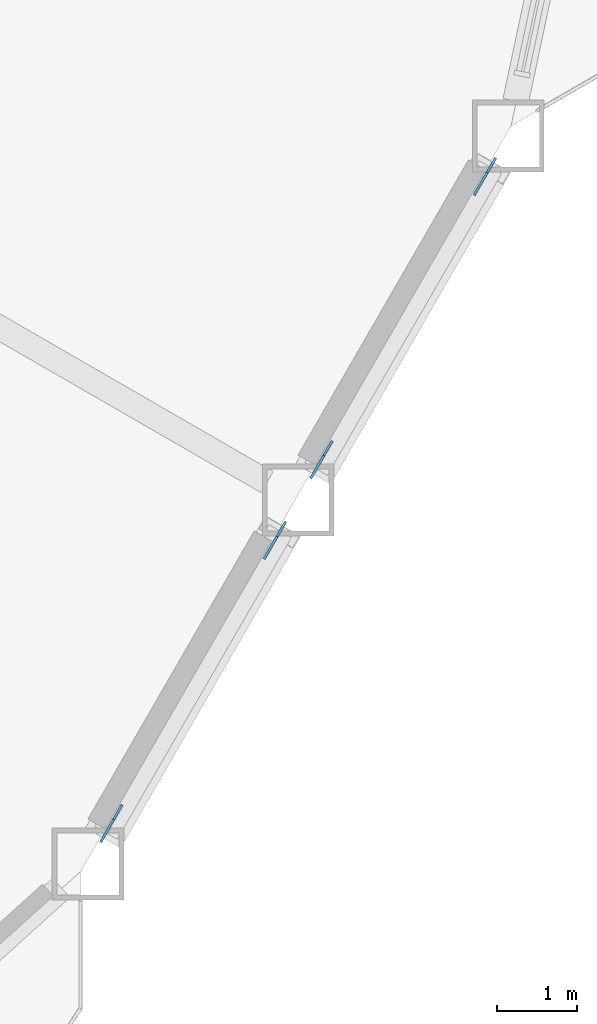
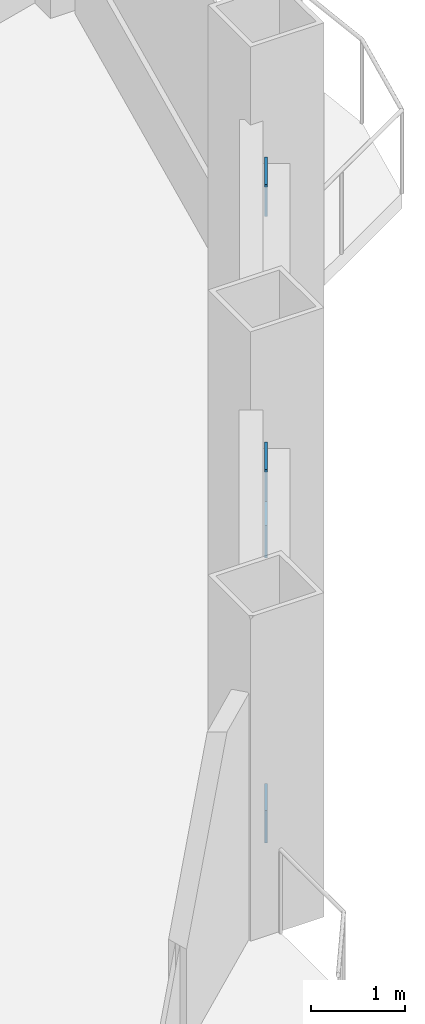
# One storey, part 15 of 21: 4 discrete accessories.
"""IFC4 building model written with IfcOpenShell, lengths in metres."""

from ifc_helpers import new_model, si_unit, direction, frame, origin, origin_2d, place, context, subcontext, project, spatial, rectangle, extrude, material, material_profile, profile_set, type_object, element, save


model = new_model("IFC4")

# Units and contexts
model_context = context("Model", 3, precision=1e-05, world=origin(), true_north=direction((0.0, 1.0)))
body_context = subcontext(model_context, "Body", "Model", "MODEL_VIEW")
ifc_project = project(units=[si_unit("LENGTHUNIT", "METRE"), si_unit("AREAUNIT", "SQUARE_METRE"), si_unit("VOLUMEUNIT", "CUBIC_METRE"), si_unit("PLANEANGLEUNIT", "RADIAN"), si_unit("MASSUNIT", "GRAM", prefix="KILO")], contexts=[model_context])

# Site, building, storey
site_placement = place(None, origin())
site = spatial("IfcSite", under=ifc_project, at=site_placement, CompositionType="ELEMENT")
building_placement = place(site_placement, origin())
building = spatial("IfcBuilding", under=site, at=building_placement, Name="Cormorant Prow Tower", CompositionType="ELEMENT")
storey_placement = place(building_placement, frame((0.0, 0.0, 145.800048828125)))
storey = spatial("IfcBuildingStorey", under=building, at=storey_placement, Name="L31", CompositionType="ELEMENT", Elevation=145.800048828125)

# Discrete accessories
ifc_material = material(Name="Structural steel ASTM A500 Gr C", Category="steel")
ifc_material_profile = material_profile(ifc_material, rectangle(XDim=0.031982421875, YDim=0.60791015625, at=origin_2d()), Name="Gusset plate 32x608")
ifc_profile_set = profile_set([ifc_material_profile], Name="Structural steel ASTM A500 Gr C")
discrete_accessory_type = type_object("IfcDiscreteAccessoryType", Name="Gusset plate 32x608", PredefinedType="BRACKET", material=ifc_profile_set)
discrete_accessory_1_placement = place(storey_placement, frame((25.8740234375, -20.158935546875, 0.88232421875), z_axis=(-0.467903125124, -0.810288273314, -0.352844979601), x_axis=(0.865987003449, -0.500066505434, 0.0)))
element("IfcDiscreteAccessory", 1, at=discrete_accessory_1_placement, inside=storey, type_object=discrete_accessory_type, Name="Gusset plate GP1 L31.ESE00.g0", PredefinedType="BRACKET", context=body_context, shape_type="SweptSolid", body=[
    extrude(rectangle(XDim=0.031982421875, YDim=0.60791015625, at=origin_2d()), origin(), (0.0, 0.0, 1.0), 0.35009765625),
])
discrete_accessory_2_placement = place(storey_placement, frame((27.76025390625, -16.8916015625, 2.306396484375), z_axis=(0.468167615655, 0.810048586848, 0.353044431477), x_axis=(-0.865800459427, 0.500389412813, 0.0)))
element("IfcDiscreteAccessory", 2, at=discrete_accessory_2_placement, inside=storey, type_object=discrete_accessory_type, Name="Gusset plate GP1 L31.ESE00.g1", PredefinedType="BRACKET", context=body_context, shape_type="SweptSolid", body=[
    extrude(rectangle(XDim=0.031982421875, YDim=0.60791015625, at=origin_2d()), origin(), (0.0, 0.0, 1.0), 0.349853515625),
])
for number, where, z_axis, x_axis, name in (
    (3, (28.5087890625, -15.59521484375, 0.88232421875), (-0.467903125124, -0.810288273314, -0.352844979601), (0.865987003449, -0.500066505434, 0.0), "Gusset plate GP1 L31.ESE01.g0"),
    (4, (30.39501953125, -12.328125, 2.306396484375), (0.467903125124, 0.810288273314, 0.352844979601), (-0.865987003449, 0.500066505434, 0.0), "Gusset plate GP1 L31.ESE01.g1"),
):
    element("IfcDiscreteAccessory", number, at=place(storey_placement, frame(where, z_axis=z_axis, x_axis=x_axis)), inside=storey, type_object=discrete_accessory_type, Name=name, PredefinedType="BRACKET", context=body_context, shape_type="SweptSolid", body=[
        extrude(rectangle(XDim=0.031982421875, YDim=0.60791015625, at=origin_2d()), origin(), (0.0, 0.0, 1.0), 0.35009765625),
    ])

save(model, "model.ifc")
